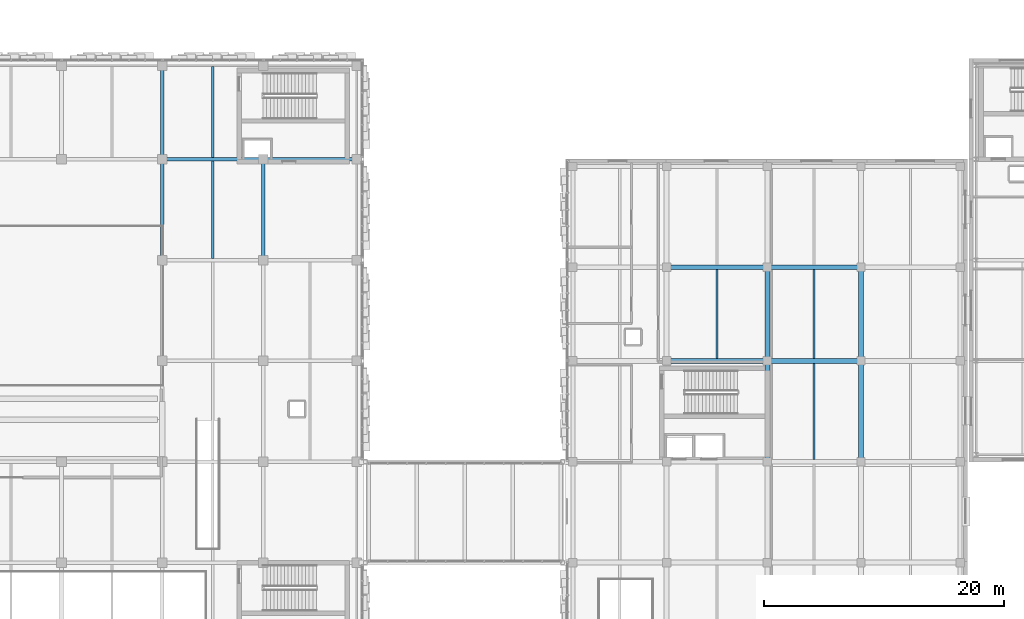
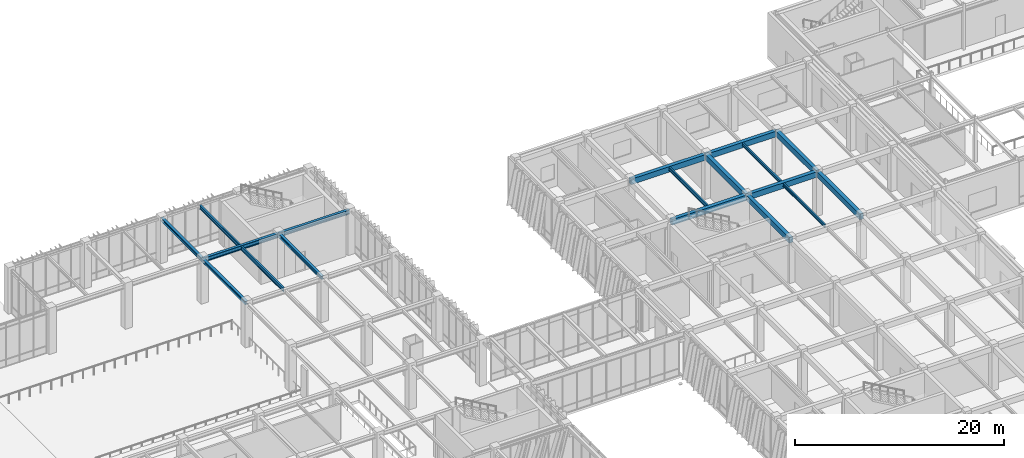
# One storey, part 69 of 139: 18 beams.
"""IFC4 building model written with IfcOpenShell, lengths in metres."""

from ifc_helpers import new_model, si_unit, direction, frame, origin, origin_2d, place, context, subcontext, project, spatial, rectangle, i_section, extrude, material, material_profile, profile_set, type_object, element, save


model = new_model("IFC4")

# Units and contexts
model_context = context("Model", 3, precision=1e-05, world=origin(), true_north=direction((0.0, 1.0)))
body_context = subcontext(model_context, "Body", "Model", "MODEL_VIEW")
ifc_project = project(units=[si_unit("LENGTHUNIT", "METRE"), si_unit("AREAUNIT", "SQUARE_METRE"), si_unit("VOLUMEUNIT", "CUBIC_METRE"), si_unit("PLANEANGLEUNIT", "RADIAN"), si_unit("MASSUNIT", "GRAM", prefix="KILO")], contexts=[model_context])

# Site, building, storey
site_placement = place(None, origin())
site = spatial("IfcSite", under=ifc_project, at=site_placement, CompositionType="ELEMENT")
building_placement = place(site_placement, origin())
building = spatial("IfcBuilding", under=site, at=building_placement, Name="Zayran Congress Hotel", CompositionType="ELEMENT")
storey_placement = place(building_placement, frame((0.0, 0.0, 5.39990234375)))
storey = spatial("IfcBuildingStorey", under=building, at=storey_placement, Name="L01", CompositionType="ELEMENT", Elevation=5.39990234375)

# Beams
ifc_material_1 = material(Name="Concrete C40/50", Category="concrete")
ifc_material_profile_1 = material_profile(ifc_material_1, rectangle(XDim=0.39990234375, YDim=0.64990234375, at=origin_2d()), Name="RC 400x650")
ifc_profile_set_1 = profile_set([ifc_material_profile_1], Name="Concrete C40/50")
beam_type_1 = type_object("IfcBeamType", Name="TP-BM-03", PredefinedType="BEAM", material=ifc_profile_set_1)
beam_1_placement = place(storey_placement, frame((117.60009765625, 92.800048828125, 4.775146484375), z_axis=(1.0, 0.0, 0.0), x_axis=(0.0, 1.0, 0.0)))
element("IfcBeam", 1, at=beam_1_placement, inside=storey, type_object=beam_type_1, Name="BM-V4-L01-1333", PredefinedType="BEAM", context=body_context, shape_type="SweptSolid", body=[
    extrude(rectangle(XDim=0.39990234375, YDim=0.64990234375, at=origin_2d()), origin(), (0.0, 0.0, 1.0), 8.39990234375),
])
beam_2_placement = place(storey_placement, frame((126.0, 92.800048828125, 4.775146484375), z_axis=(1.0, 0.0, 0.0), x_axis=(0.0, 1.0, 0.0)))
element("IfcBeam", 2, at=beam_2_placement, inside=storey, type_object=beam_type_1, Name="BM-V4-L01-1334", PredefinedType="BEAM", context=body_context, shape_type="SweptSolid", body=[
    extrude(rectangle(XDim=0.39990234375, YDim=0.64990234375, at=origin_2d()), origin(), (0.0, 0.0, 1.0), 7.800048828125),
])
beam_3_placement = place(storey_placement, frame((117.60009765625, 100.60009765625, 4.775146484375), z_axis=(1.0, 0.0, 0.0), x_axis=(0.0, 1.0, 0.0)))
element("IfcBeam", 3, at=beam_3_placement, inside=storey, type_object=beam_type_1, Name="BM-V4-L01-1337", PredefinedType="BEAM", context=body_context, shape_type="SweptSolid", body=[
    extrude(rectangle(XDim=0.39990234375, YDim=0.64990234375, at=origin_2d()), origin(), (0.0, 0.0, 1.0), 8.39990234375),
])
beam_4_placement = place(storey_placement, frame((126.0, 100.60009765625, 4.775146484375), z_axis=(1.0, 0.0, 0.0), x_axis=(0.0, 1.0, 0.0)))
element("IfcBeam", 4, at=beam_4_placement, inside=storey, type_object=beam_type_1, Name="BM-V4-L01-1338", PredefinedType="BEAM", context=body_context, shape_type="SweptSolid", body=[
    extrude(rectangle(XDim=0.39990234375, YDim=0.64990234375, at=origin_2d()), origin(), (0.0, 0.0, 1.0), 7.800048828125),
])
beam_5_placement = place(storey_placement, frame((126.0, 84.39990234375, 4.775146484375), z_axis=(0.0, 1.0, 0.0), x_axis=(-1.0, 0.0, 0.0)))
element("IfcBeam", 5, at=beam_5_placement, inside=storey, type_object=beam_type_1, Name="BM-V4-L01-1363", PredefinedType="BEAM", context=body_context, shape_type="SweptSolid", body=[
    extrude(rectangle(XDim=0.39990234375, YDim=0.64990234375, at=origin_2d()), origin(), (0.0, 0.0, 1.0), 8.400146484375),
])
beam_6_placement = place(storey_placement, frame((126.0, 92.800048828125, 4.775146484375), z_axis=(0.0, 1.0, 0.0), x_axis=(-1.0, 0.0, 0.0)))
element("IfcBeam", 6, at=beam_6_placement, inside=storey, type_object=beam_type_1, Name="BM-V4-L01-1364", PredefinedType="BEAM", context=body_context, shape_type="SweptSolid", body=[
    extrude(rectangle(XDim=0.39990234375, YDim=0.64990234375, at=origin_2d()), origin(), (0.0, 0.0, 1.0), 7.800048828125),
])
beam_7_placement = place(storey_placement, frame((133.800048828125, 84.39990234375, 4.775146484375), z_axis=(0.0, 1.0, 0.0), x_axis=(-1.0, 0.0, 0.0)))
element("IfcBeam", 7, at=beam_7_placement, inside=storey, type_object=beam_type_1, Name="BM-V4-L01-1371", PredefinedType="BEAM", context=body_context, shape_type="SweptSolid", body=[
    extrude(rectangle(XDim=0.39990234375, YDim=0.64990234375, at=origin_2d()), origin(), (0.0, 0.0, 1.0), 8.400146484375),
])
beam_8_placement = place(storey_placement, frame((133.800048828125, 92.800048828125, 4.775146484375), z_axis=(0.0, 1.0, 0.0), x_axis=(-1.0, 0.0, 0.0)))
element("IfcBeam", 8, at=beam_8_placement, inside=storey, type_object=beam_type_1, Name="BM-V4-L01-1372", PredefinedType="BEAM", context=body_context, shape_type="SweptSolid", body=[
    extrude(rectangle(XDim=0.39990234375, YDim=0.64990234375, at=origin_2d()), origin(), (0.0, 0.0, 1.0), 7.800048828125),
])
ifc_material_2 = material(Name="Steel S355", Category="steel")
ifc_material_profile_2 = material_profile(ifc_material_2, i_section(OverallWidth=0.300048828125, OverallDepth=0.489990234375, WebThickness=0.011962890625, FlangeThickness=0.02294921875, at=origin_2d()), Name="HEA 500")
ifc_profile_set_2 = profile_set([ifc_material_profile_2], Name="Steel S355")
beam_type_2 = type_object("IfcBeamType", Name="TP-BM-05", PredefinedType="BEAM", material=ifc_profile_set_2)
beam_9_placement = place(storey_placement, frame((75.60009765625, 109.60009765625, 4.835205078125), z_axis=(1.0, 0.0, 0.0), x_axis=(0.0, 1.0, 0.0)))
element("IfcBeam", 9, at=beam_9_placement, inside=storey, type_object=beam_type_2, Name="BM-V1-L01-0559", PredefinedType="BEAM", context=body_context, shape_type="SweptSolid", body=[
    extrude(i_section(OverallWidth=0.300048828125, OverallDepth=0.489990234375, WebThickness=0.011962890625, FlangeThickness=0.02294921875, at=origin_2d()), origin(), (0.0, 0.0, 1.0), 8.39990234375),
])
beam_10_placement = place(storey_placement, frame((84.0, 109.60009765625, 4.835205078125), z_axis=(1.0, 0.0, 0.0), x_axis=(0.0, 1.0, 0.0)))
element("IfcBeam", 10, at=beam_10_placement, inside=storey, type_object=beam_type_2, Name="BM-V1-L01-0560", PredefinedType="BEAM", context=body_context, shape_type="SweptSolid", body=[
    extrude(i_section(OverallWidth=0.300048828125, OverallDepth=0.489990234375, WebThickness=0.011962890625, FlangeThickness=0.02294921875, at=origin_2d()), origin(), (0.0, 0.0, 1.0), 7.800048828125),
])
ifc_material_profile_3 = material_profile(ifc_material_2, i_section(OverallWidth=0.300048828125, OverallDepth=0.389892578125, WebThickness=0.010986328125, FlangeThickness=0.01904296875, at=origin_2d()), Name="HEA 400")
ifc_profile_set_3 = profile_set([ifc_material_profile_3], Name="Steel S355")
beam_type_3 = type_object("IfcBeamType", Name="TP-BM-06", PredefinedType="BEAM", material=ifc_profile_set_3)
beam_11_placement = place(storey_placement, frame((75.60009765625, 101.199951171875, 4.885009765625), z_axis=(0.0, 1.0, 0.0), x_axis=(-1.0, 0.0, 0.0)))
element("IfcBeam", 11, at=beam_11_placement, inside=storey, type_object=beam_type_3, Name="BM-V1-L01-0606", PredefinedType="BEAM", context=body_context, shape_type="SweptSolid", body=[
    extrude(i_section(OverallWidth=0.300048828125, OverallDepth=0.389892578125, WebThickness=0.010986328125, FlangeThickness=0.01904296875, at=origin_2d()), origin(), (0.0, 0.0, 1.0), 8.400146484375),
])
beam_12_placement = place(storey_placement, frame((75.60009765625, 109.60009765625, 4.885009765625), z_axis=(0.0, 1.0, 0.0), x_axis=(-1.0, 0.0, 0.0)))
element("IfcBeam", 12, at=beam_12_placement, inside=storey, type_object=beam_type_3, Name="BM-V1-L01-0607", PredefinedType="BEAM", context=body_context, shape_type="SweptSolid", body=[
    extrude(i_section(OverallWidth=0.300048828125, OverallDepth=0.389892578125, WebThickness=0.010986328125, FlangeThickness=0.01904296875, at=origin_2d()), origin(), (0.0, 0.0, 1.0), 7.7998046875),
])
beam_13_placement = place(storey_placement, frame((84.0, 101.199951171875, 4.885009765625), z_axis=(0.0, 1.0, 0.0), x_axis=(-1.0, 0.0, 0.0)))
element("IfcBeam", 13, at=beam_13_placement, inside=storey, type_object=beam_type_3, Name="BM-V1-L01-0611", PredefinedType="BEAM", context=body_context, shape_type="SweptSolid", body=[
    extrude(i_section(OverallWidth=0.300048828125, OverallDepth=0.389892578125, WebThickness=0.010986328125, FlangeThickness=0.01904296875, at=origin_2d()), origin(), (0.0, 0.0, 1.0), 8.400146484375),
])
ifc_material_profile_4 = material_profile(ifc_material_2, i_section(OverallWidth=0.18994140625, OverallDepth=0.449951171875, WebThickness=0.009521484375, FlangeThickness=0.0146484375, at=origin_2d()), Name="IPE 450")
ifc_profile_set_4 = profile_set([ifc_material_profile_4], Name="Steel S355")
beam_type_4 = type_object("IfcBeamType", Name="TP-JS-02", PredefinedType="JOIST", material=ifc_profile_set_4)
beam_14_placement = place(storey_placement, frame((79.800048828125, 101.35009765625, 4.85498046875), z_axis=(0.0, 1.0, 0.0), x_axis=(-1.0, 0.0, 0.0)))
element("IfcBeam", 14, at=beam_14_placement, inside=storey, type_object=beam_type_4, Name="JST-V1-L01-0648", PredefinedType="JOIST", context=body_context, shape_type="SweptSolid", body=[
    extrude(i_section(OverallWidth=0.18994140625, OverallDepth=0.449951171875, WebThickness=0.009521484375, FlangeThickness=0.0146484375, at=origin_2d()), origin(), (0.0, 0.0, 1.0), 8.099853515625),
])
beam_15_placement = place(storey_placement, frame((79.800048828125, 109.75, 4.85498046875), z_axis=(0.0, 1.0, 0.0), x_axis=(-1.0, 0.0, 0.0)))
element("IfcBeam", 15, at=beam_15_placement, inside=storey, type_object=beam_type_4, Name="JST-V1-L01-0649", PredefinedType="JOIST", context=body_context, shape_type="SweptSolid", body=[
    extrude(i_section(OverallWidth=0.18994140625, OverallDepth=0.449951171875, WebThickness=0.009521484375, FlangeThickness=0.0146484375, at=origin_2d()), origin(), (0.0, 0.0, 1.0), 7.590087890625),
])
ifc_material_profile_5 = material_profile(ifc_material_2, i_section(OverallWidth=0.179931640625, OverallDepth=0.39990234375, WebThickness=0.008544921875, FlangeThickness=0.013427734375, at=origin_2d()), Name="IPE 400")
ifc_profile_set_5 = profile_set([ifc_material_profile_5], Name="Steel S355")
beam_type_5 = type_object("IfcBeamType", Name="TP-JS-03", PredefinedType="JOIST", material=ifc_profile_set_5)
beam_16_placement = place(storey_placement, frame((121.800048828125, 93.0, 4.900146484375), z_axis=(0.0, 1.0, 0.0), x_axis=(-1.0, 0.0, 0.0)))
element("IfcBeam", 16, at=beam_16_placement, inside=storey, type_object=beam_type_5, Name="JST-V4-L01-1394", PredefinedType="JOIST", context=body_context, shape_type="SweptSolid", body=[
    extrude(i_section(OverallWidth=0.179931640625, OverallDepth=0.39990234375, WebThickness=0.008544921875, FlangeThickness=0.013427734375, at=origin_2d()), origin(), (0.0, 0.0, 1.0), 7.39990234375),
])
ifc_material_profile_6 = material_profile(ifc_material_2, i_section(OverallWidth=0.169921875, OverallDepth=0.360107421875, WebThickness=0.008056640625, FlangeThickness=0.0126953125, at=origin_2d()), Name="IPE 360")
ifc_profile_set_6 = profile_set([ifc_material_profile_6], Name="Steel S355")
beam_type_6 = type_object("IfcBeamType", Name="TP-JS-04", PredefinedType="JOIST", material=ifc_profile_set_6)
beam_17_placement = place(storey_placement, frame((129.89990234375, 84.60009765625, 4.920166015625), z_axis=(0.0, 1.0, 0.0), x_axis=(-1.0, 0.0, 0.0)))
element("IfcBeam", 17, at=beam_17_placement, inside=storey, type_object=beam_type_6, Name="JST-V4-L01-1401", PredefinedType="JOIST", context=body_context, shape_type="SweptSolid", body=[
    extrude(i_section(OverallWidth=0.169921875, OverallDepth=0.360107421875, WebThickness=0.008056640625, FlangeThickness=0.0126953125, at=origin_2d()), origin(), (0.0, 0.0, 1.0), 8.0),
])
beam_18_placement = place(storey_placement, frame((129.89990234375, 93.0, 4.920166015625), z_axis=(0.0, 1.0, 0.0), x_axis=(-1.0, 0.0, 0.0)))
element("IfcBeam", 18, at=beam_18_placement, inside=storey, type_object=beam_type_6, Name="JST-V4-L01-1402", PredefinedType="JOIST", context=body_context, shape_type="SweptSolid", body=[
    extrude(i_section(OverallWidth=0.169921875, OverallDepth=0.360107421875, WebThickness=0.008056640625, FlangeThickness=0.0126953125, at=origin_2d()), origin(), (0.0, 0.0, 1.0), 7.39990234375),
])

save(model, "model.ifc")
